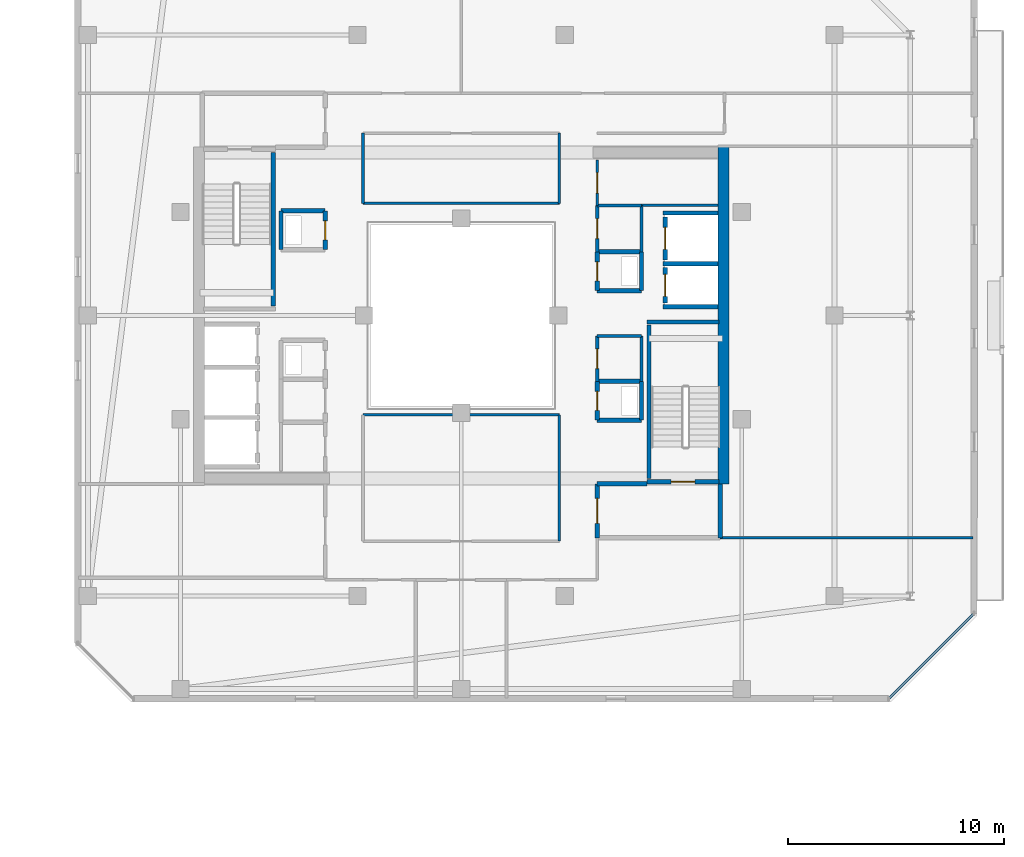
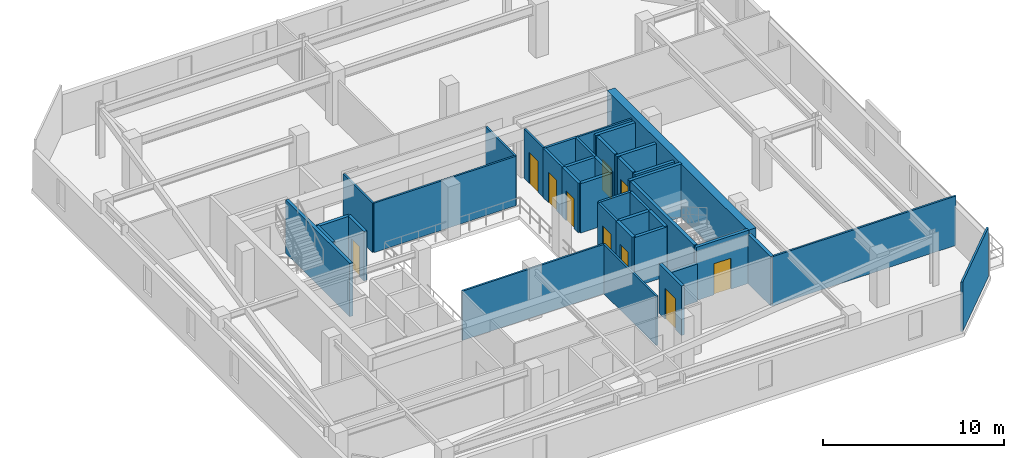
# One storey, part 26 of 34: 39 walls, 10 doors, 10 openings.
"""IFC4 building model written with IfcOpenShell, lengths in metres."""

from ifc_helpers import new_model, si_unit, direction, frame, frame_2d, origin, place, context, subcontext, project, spatial, rectangle, extrude, material, layer, layer_set, type_object, element, fill, save


model = new_model("IFC4")

# Units and contexts
model_context = context("Model", 3, precision=1e-05, world=origin(), true_north=direction((0.0, 1.0)))
body_context = subcontext(model_context, "Body", "Model", "MODEL_VIEW")
ifc_project = project(units=[si_unit("LENGTHUNIT", "METRE"), si_unit("AREAUNIT", "SQUARE_METRE"), si_unit("VOLUMEUNIT", "CUBIC_METRE"), si_unit("PLANEANGLEUNIT", "RADIAN"), si_unit("MASSUNIT", "GRAM", prefix="KILO")], contexts=[model_context])

# Site, building, storey
site_placement = place(None, origin())
site = spatial("IfcSite", under=ifc_project, at=site_placement, CompositionType="ELEMENT")
building_placement = place(site_placement, origin())
building = spatial("IfcBuilding", under=site, at=building_placement, Name="Thornwick Lancets Civic Towers", CompositionType="ELEMENT")
storey_placement = place(building_placement, frame((0.0, 0.0, 258.300048828125)))
storey = spatial("IfcBuildingStorey", under=building, at=storey_placement, Name="L69", CompositionType="ELEMENT", Elevation=258.300048828125)

# Wall, opening, door
ifc_material_1 = material(Name="Concrete blockwork C40/50", Category="masonry")
ifc_layer_1 = layer(ifc_material_1, 0.199951171875, Name="Concrete blockwork C40/50")
ifc_layer_set_1 = layer_set([ifc_layer_1], Name="Concrete blockwork C40/50")
wall_type_1 = type_object("IfcWallType", Name="WALL_COMP_200", PredefinedType="STANDARD", material=ifc_layer_set_1)
wall_1_placement = place(storey_placement, frame((97.949951171875, 29.219970703125, 0.0), z_axis=(0.0, 0.0, 1.0), x_axis=(0.0, -1.0, 0.0)))
wall_1 = element("IfcWall", 1, at=wall_1_placement, inside=storey, type_object=wall_type_1, Name="L69 Hoistway Front Wall FL-B1", PredefinedType="STANDARD", context=body_context, shape_type="SweptSolid", body=[
    extrude(rectangle(XDim=1.639892578125, YDim=0.199951171875, at=frame_2d((0.81982421875, 0.0))), origin(), (0.0, 0.0, 1.0), 3.33984375),
])
opening_1_placement = place(wall_1_placement, frame((0.31005859375, 0.0, 0.0)))
opening_1 = element("IfcOpeningElement", 2, at=opening_1_placement, cuts=wall_1, Name="Opening LD-FL-B1", PredefinedType="OPENING", context=body_context, shape_type="SweptSolid", body=[
    extrude(rectangle(XDim=1.02001953125, YDim=2.06005859375, at=frame_2d((0.510009765625, 1.030029296875))), frame((0.0, 0.10986328125, 0.0), z_axis=(0.0, -1.0, 0.0), x_axis=(1.0, 0.0, 0.0)), (0.0, 0.0, 1.0), 0.219970703125),
])
ifc_material_2 = material(Name="Brushed bronze stainless steel", Category="steel")
door_type_1 = type_object("IfcDoorType", Name="DOOR_LIFT_SLIDE", OperationType="SLIDING_TO_LEFT", PredefinedType="DOOR", material=ifc_material_2)
door_1_placement = place(opening_1_placement, origin())
door_1 = element("IfcDoor", 3, at=door_1_placement, inside=storey, type_object=door_type_1, Name="L69 Sliding Lift Landing Door LD-FL-B1", OperationType="SLIDING_TO_LEFT", OverallHeight=2.06005859375, OverallWidth=1.02001953125, PredefinedType="DOOR", context=body_context, shape_type="SweptSolid", body=[
    extrude(rectangle(XDim=1.02001953125, YDim=2.06005859375, at=frame_2d((0.510009765625, 1.030029296875))), frame((0.0, 0.02490234375, 0.0), z_axis=(0.0, -1.0, 0.0), x_axis=(1.0, 0.0, 0.0)), (0.0, 0.0, 1.0), 0.050048828125),
])
fill(opening_1, door_1)

wall_2_placement = place(storey_placement, frame((97.949951171875, 31.570068359375, 0.0), z_axis=(0.0, 0.0, 1.0), x_axis=(0.0, -1.0, 0.0)))
wall_2 = element("IfcWall", 4, at=wall_2_placement, inside=storey, type_object=wall_type_1, Name="L69 Hoistway Front Wall PL-BH1", PredefinedType="STANDARD", context=body_context, shape_type="SweptSolid", body=[
    extrude(rectangle(XDim=1.989990234375, YDim=0.199951171875, at=frame_2d((0.9951171875, 0.0))), origin(), (0.0, 0.0, 1.0), 3.33984375),
])
opening_2_placement = place(wall_2_placement, frame((0.485107421875, 0.0, 0.0)))
opening_2 = element("IfcOpeningElement", 5, at=opening_2_placement, cuts=wall_2, Name="Opening LD-PL-BH1", PredefinedType="OPENING", context=body_context, shape_type="SweptSolid", body=[
    extrude(rectangle(XDim=1.02001953125, YDim=2.06005859375, at=frame_2d((0.510009765625, 1.030029296875))), frame((0.0, 0.10986328125, 0.0), z_axis=(0.0, -1.0, 0.0), x_axis=(1.0, 0.0, 0.0)), (0.0, 0.0, 1.0), 0.219970703125),
])
door_2_placement = place(opening_2_placement, origin())
door_2 = element("IfcDoor", 6, at=door_2_placement, inside=storey, type_object=door_type_1, Name="L69 Sliding Lift Landing Door LD-PL-BH1", OperationType="SLIDING_TO_LEFT", OverallHeight=2.06005859375, OverallWidth=1.02001953125, PredefinedType="DOOR", context=body_context, shape_type="SweptSolid", body=[
    extrude(rectangle(XDim=1.02001953125, YDim=2.06005859375, at=frame_2d((0.510009765625, 1.030029296875))), frame((0.0, 0.02490234375, 0.0), z_axis=(0.0, -1.0, 0.0), x_axis=(1.0, 0.0, 0.0)), (0.0, 0.0, 1.0), 0.050048828125),
])
fill(opening_2, door_2)

# Walls
for number, where, z_axis, x_axis, name in (
    (7, (97.85205078125, 29.39990234375, 0.0), (0.0, 0.0, 1.0), (1.0, 0.0, 0.0), "L69 Hoistway Shaft Wall FL-B1 N"),
    (8, (97.85205078125, 27.39990234375, 0.0), (0.0, 0.0, 1.0), (1.0, 0.0, 0.0), "L69 Hoistway Shaft Wall FL-B1 S"),
    (9, (97.85205078125, 31.75, 0.0), (0.0, 0.0, 1.0), (1.0, 0.0, 0.0), "L69 Hoistway Shaft Wall PL-BH1 N"),
):
    element("IfcWall", number, at=place(storey_placement, frame(where, z_axis=z_axis, x_axis=x_axis)), inside=storey, type_object=wall_type_1, Name=name, PredefinedType="STANDARD", context=body_context, shape_type="SweptSolid", body=[
        extrude(rectangle(XDim=2.535888671875, YDim=0.199951171875, at=frame_2d((1.26806640625, 0.0))), origin(), (0.0, 0.0, 1.0), 3.33984375),
    ])
wall_3_placement = place(storey_placement, frame((100.5, 16.699951171875, 0.0), z_axis=(0.0, 0.0, 1.0), x_axis=(0.0, 1.0, 0.0)))
element("IfcWall", 10, at=wall_3_placement, inside=storey, type_object=wall_type_1, Name="L69 Partition L69-B-FFLOB1 E2", PredefinedType="STANDARD", context=body_context, shape_type="SweptSolid", body=[
    extrude(rectangle(XDim=2.5, YDim=0.199951171875, at=frame_2d((1.25, 0.0))), origin(), (0.0, 0.0, 1.0), 3.33984375),
])
wall_4_placement = place(storey_placement, frame((97.10009765625, 19.199951171875, 0.0), z_axis=(0.0, 0.0, 1.0), x_axis=(-1.0, 0.0, 0.0)))
element("IfcWall", 11, at=wall_4_placement, inside=storey, type_object=wall_type_1, Name="L69 Partition L69-B-FFLOB1 E3", PredefinedType="STANDARD", context=body_context, shape_type="SweptSolid", body=[
    extrude(rectangle(XDim=2.300048828125, YDim=0.199951171875, at=frame_2d((1.14990234375, 0.0))), origin(), (0.0, 0.0, 1.0), 2.544921875),
])

# Wall, opening, door
wall_5_placement = place(storey_placement, frame((94.800048828125, 19.199951171875, 0.0), z_axis=(0.0, 0.0, 1.0), x_axis=(0.0, -1.0, 0.0)))
wall_5 = element("IfcWall", 12, at=wall_5_placement, inside=storey, type_object=wall_type_1, Name="L69 Partition L69-B-FFLOB1 E4", PredefinedType="STANDARD", context=body_context, shape_type="SweptSolid", body=[
    extrude(rectangle(XDim=2.5, YDim=0.199951171875, at=frame_2d((1.25, 0.0))), origin(), (0.0, 0.0, 1.0), 3.33984375),
])
opening_3_placement = place(wall_5_placement, frame((0.675048828125, 0.0, 0.0)))
opening_3 = element("IfcOpeningElement", 13, at=opening_3_placement, cuts=wall_5, Name="Opening D-L69-3146", PredefinedType="OPENING", context=body_context, shape_type="SweptSolid", body=[
    extrude(rectangle(XDim=1.14990234375, YDim=2.10009765625, at=frame_2d((0.574951171875, 1.050048828125))), frame((0.0, 0.10986328125, 0.0), z_axis=(0.0, -1.0, 0.0), x_axis=(1.0, 0.0, 0.0)), (0.0, 0.0, 1.0), 0.219970703125),
])
ifc_material_3 = material(Name="Glazed fire-resisting steel", Category="steel")
door_type_2 = type_object("IfcDoorType", Name="DOOR_LOBBY_FD60", OperationType="NOTDEFINED", PredefinedType="DOOR", material=ifc_material_3)
door_3_placement = place(opening_3_placement, origin())
door_3 = element("IfcDoor", 14, at=door_3_placement, inside=storey, type_object=door_type_2, Name="L69 East Firefighting Lobby 1 Door", OperationType="SINGLE_SWING_LEFT", OverallHeight=2.10009765625, OverallWidth=1.14990234375, PredefinedType="DOOR", context=body_context, shape_type="SweptSolid", body=[
    extrude(rectangle(XDim=1.14990234375, YDim=2.10009765625, at=frame_2d((0.574951171875, 1.050048828125))), frame((0.0, 0.02490234375, 0.0), z_axis=(0.0, -1.0, 0.0), x_axis=(1.0, 0.0, 0.0)), (0.0, 0.0, 1.0), 0.050048828125),
])
fill(opening_3, door_3)

# Walls
wall_6_placement = place(storey_placement, frame((94.800048828125, 28.14990234375, 0.0), z_axis=(0.0, 0.0, 1.0), x_axis=(1.0, 0.0, 0.0)))
element("IfcWall", 15, at=wall_6_placement, inside=storey, type_object=wall_type_1, Name="L69 Partition L69-B-DUCT1 E1", PredefinedType="STANDARD", context=body_context, shape_type="SweptSolid", body=[
    extrude(rectangle(XDim=2.050048828125, YDim=0.199951171875, at=frame_2d((1.02490234375, 0.0))), origin(), (0.0, 0.0, 1.0), 3.33984375),
])
wall_7_placement = place(storey_placement, frame((96.85009765625, 28.14990234375, 0.0), z_axis=(0.0, 0.0, 1.0), x_axis=(0.0, 1.0, 0.0)))
element("IfcWall", 16, at=wall_7_placement, inside=storey, type_object=wall_type_1, Name="L69 Partition L69-B-DUCT1 E2", PredefinedType="STANDARD", context=body_context, shape_type="SweptSolid", body=[
    extrude(rectangle(XDim=1.800048828125, YDim=0.199951171875, at=frame_2d((0.89990234375, 0.0))), origin(), (0.0, 0.0, 1.0), 3.33984375),
])
wall_8_placement = place(storey_placement, frame((96.85009765625, 29.949951171875, 0.0), z_axis=(0.0, 0.0, 1.0), x_axis=(-1.0, 0.0, 0.0)))
element("IfcWall", 17, at=wall_8_placement, inside=storey, type_object=wall_type_1, Name="L69 Partition L69-B-DUCT1 E3", PredefinedType="STANDARD", context=body_context, shape_type="SweptSolid", body=[
    extrude(rectangle(XDim=2.050048828125, YDim=0.199951171875, at=frame_2d((1.02490234375, 0.0))), origin(), (0.0, 0.0, 1.0), 3.33984375),
])

# Wall, opening, door
wall_9_placement = place(storey_placement, frame((94.800048828125, 29.949951171875, 0.0), z_axis=(0.0, 0.0, 1.0), x_axis=(0.0, -1.0, 0.0)))
wall_9 = element("IfcWall", 18, at=wall_9_placement, inside=storey, type_object=wall_type_1, Name="L69 Partition L69-B-DUCT1 E4", PredefinedType="STANDARD", context=body_context, shape_type="SweptSolid", body=[
    extrude(rectangle(XDim=1.800048828125, YDim=0.199951171875, at=frame_2d((0.89990234375, 0.0))), origin(), (0.0, 0.0, 1.0), 3.33984375),
])
opening_4_placement = place(wall_9_placement, frame((0.4599609375, 0.0, 0.0)))
opening_4 = element("IfcOpeningElement", 19, at=opening_4_placement, cuts=wall_9, Name="Opening D-L69-3148", PredefinedType="OPENING", context=body_context, shape_type="SweptSolid", body=[
    extrude(rectangle(XDim=0.8798828125, YDim=2.0400390625, at=frame_2d((0.43994140625, 1.02001953125))), frame((0.0, 0.10986328125, 0.0), z_axis=(0.0, -1.0, 0.0), x_axis=(1.0, 0.0, 0.0)), (0.0, 0.0, 1.0), 0.219970703125),
])
ifc_material_4 = material(Name="Steel riser access doorset", Category="steel")
door_type_3 = type_object("IfcDoorType", Name="DOOR_RISER_850", OperationType="NOTDEFINED", PredefinedType="DOOR", material=ifc_material_4)
door_4_placement = place(opening_4_placement, origin())
door_4 = element("IfcDoor", 20, at=door_4_placement, inside=storey, type_object=door_type_3, Name="L69 East Service Duct 1 Door", OperationType="SINGLE_SWING_LEFT", OverallHeight=2.0400390625, OverallWidth=0.8798828125, PredefinedType="DOOR", context=body_context, shape_type="SweptSolid", body=[
    extrude(rectangle(XDim=0.8798828125, YDim=2.0400390625, at=frame_2d((0.43994140625, 1.02001953125))), frame((0.0, 0.02490234375, 0.0), z_axis=(0.0, -1.0, 0.0), x_axis=(1.0, 0.0, 0.0)), (0.0, 0.0, 1.0), 0.050048828125),
])
fill(opening_4, door_4)

# Walls
wall_10_placement = place(storey_placement, frame((94.800048828125, 22.14990234375, 0.0), z_axis=(0.0, 0.0, 1.0), x_axis=(1.0, 0.0, 0.0)))
element("IfcWall", 21, at=wall_10_placement, inside=storey, type_object=wall_type_1, Name="L69 Partition L69-B-RISER1 E1", PredefinedType="STANDARD", context=body_context, shape_type="SweptSolid", body=[
    extrude(rectangle(XDim=2.050048828125, YDim=0.199951171875, at=frame_2d((1.02490234375, 0.0))), origin(), (0.0, 0.0, 1.0), 3.33984375),
])
wall_11_placement = place(storey_placement, frame((96.85009765625, 22.14990234375, 0.0), z_axis=(0.0, 0.0, 1.0), x_axis=(0.0, 1.0, 0.0)))
element("IfcWall", 22, at=wall_11_placement, inside=storey, type_object=wall_type_1, Name="L69 Partition L69-B-RISER1 E2", PredefinedType="STANDARD", context=body_context, shape_type="SweptSolid", body=[
    extrude(rectangle(XDim=1.800048828125, YDim=0.199951171875, at=frame_2d((0.89990234375, 0.0))), origin(), (0.0, 0.0, 1.0), 3.33984375),
])
wall_12_placement = place(storey_placement, frame((96.85009765625, 23.949951171875, 0.0), z_axis=(0.0, 0.0, 1.0), x_axis=(-1.0, 0.0, 0.0)))
element("IfcWall", 23, at=wall_12_placement, inside=storey, type_object=wall_type_1, Name="L69 Partition L69-B-RISER1 E3", PredefinedType="STANDARD", context=body_context, shape_type="SweptSolid", body=[
    extrude(rectangle(XDim=2.050048828125, YDim=0.199951171875, at=frame_2d((1.02490234375, 0.0))), origin(), (0.0, 0.0, 1.0), 3.33984375),
])

# Wall, opening, door
wall_13_placement = place(storey_placement, frame((94.800048828125, 23.949951171875, 0.0), z_axis=(0.0, 0.0, 1.0), x_axis=(0.0, -1.0, 0.0)))
wall_13 = element("IfcWall", 24, at=wall_13_placement, inside=storey, type_object=wall_type_1, Name="L69 Partition L69-B-RISER1 E4", PredefinedType="STANDARD", context=body_context, shape_type="SweptSolid", body=[
    extrude(rectangle(XDim=1.800048828125, YDim=0.199951171875, at=frame_2d((0.89990234375, 0.0))), origin(), (0.0, 0.0, 1.0), 3.33984375),
])
opening_5_placement = place(wall_13_placement, frame((0.4599609375, 0.0, 0.0)))
opening_5 = element("IfcOpeningElement", 25, at=opening_5_placement, cuts=wall_13, Name="Opening D-L69-3149", PredefinedType="OPENING", context=body_context, shape_type="SweptSolid", body=[
    extrude(rectangle(XDim=0.8798828125, YDim=2.0400390625, at=frame_2d((0.43994140625, 1.02001953125))), frame((0.0, 0.10986328125, 0.0), z_axis=(0.0, -1.0, 0.0), x_axis=(1.0, 0.0, 0.0)), (0.0, 0.0, 1.0), 0.219970703125),
])
door_5_placement = place(opening_5_placement, origin())
door_5 = element("IfcDoor", 26, at=door_5_placement, inside=storey, type_object=door_type_3, Name="L69 East Electrical Riser 1 Door", OperationType="SINGLE_SWING_RIGHT", OverallHeight=2.0400390625, OverallWidth=0.8798828125, PredefinedType="DOOR", context=body_context, shape_type="SweptSolid", body=[
    extrude(rectangle(XDim=0.8798828125, YDim=2.0400390625, at=frame_2d((0.43994140625, 1.02001953125))), frame((0.0, 0.02490234375, 0.0), z_axis=(0.0, -1.0, 0.0), x_axis=(1.0, 0.0, 0.0)), (0.0, 0.0, 1.0), 0.050048828125),
])
fill(opening_5, door_5)

wall_14_placement = place(storey_placement, frame((82.199951171875, 30.050048828125, 0.0), z_axis=(0.0, 0.0, 1.0), x_axis=(0.0, 1.0, 0.0)))
wall_14 = element("IfcWall", 27, at=wall_14_placement, inside=storey, type_object=wall_type_1, Name="L69 Partition L69-B-RISER2 E2", PredefinedType="STANDARD", context=body_context, shape_type="SweptSolid", body=[
    extrude(rectangle(XDim=1.800048828125, YDim=0.199951171875, at=frame_2d((0.89990234375, 0.0))), origin(), (0.0, 0.0, 1.0), 3.33984375),
])
opening_6_placement = place(wall_14_placement, frame((0.4599609375, 0.0, 0.0)))
opening_6 = element("IfcOpeningElement", 28, at=opening_6_placement, cuts=wall_14, Name="Opening D-L69-3151", PredefinedType="OPENING", context=body_context, shape_type="SweptSolid", body=[
    extrude(rectangle(XDim=0.8798828125, YDim=2.0400390625, at=frame_2d((0.43994140625, 1.02001953125))), frame((0.0, 0.10986328125, 0.0), z_axis=(0.0, -1.0, 0.0), x_axis=(1.0, 0.0, 0.0)), (0.0, 0.0, 1.0), 0.219970703125),
])
door_6_placement = place(opening_6_placement, origin())
door_6 = element("IfcDoor", 29, at=door_6_placement, inside=storey, type_object=door_type_3, Name="L69 West Service Riser 2 Door", OperationType="SINGLE_SWING_RIGHT", OverallHeight=2.0400390625, OverallWidth=0.8798828125, PredefinedType="DOOR", context=body_context, shape_type="SweptSolid", body=[
    extrude(rectangle(XDim=0.8798828125, YDim=2.0400390625, at=frame_2d((0.43994140625, 1.02001953125))), frame((0.0, 0.02490234375, 0.0), z_axis=(0.0, -1.0, 0.0), x_axis=(1.0, 0.0, 0.0)), (0.0, 0.0, 1.0), 0.050048828125),
])
fill(opening_6, door_6)

# Walls
wall_15_placement = place(storey_placement, frame((82.199951171875, 31.85009765625, 0.0), z_axis=(0.0, 0.0, 1.0), x_axis=(-1.0, 0.0, 0.0)))
element("IfcWall", 30, at=wall_15_placement, inside=storey, type_object=wall_type_1, Name="L69 Partition L69-B-RISER2 E3", PredefinedType="STANDARD", context=body_context, shape_type="SweptSolid", body=[
    extrude(rectangle(XDim=2.050048828125, YDim=0.199951171875, at=frame_2d((1.02490234375, 0.0))), origin(), (0.0, 0.0, 1.0), 3.33984375),
])
wall_16_placement = place(storey_placement, frame((80.14990234375, 31.85009765625, 0.0), z_axis=(0.0, 0.0, 1.0), x_axis=(0.0, -1.0, 0.0)))
element("IfcWall", 31, at=wall_16_placement, inside=storey, type_object=wall_type_1, Name="L69 Partition L69-B-RISER2 E4", PredefinedType="STANDARD", context=body_context, shape_type="SweptSolid", body=[
    extrude(rectangle(XDim=1.800048828125, YDim=0.199951171875, at=frame_2d((0.89990234375, 0.0))), origin(), (0.0, 0.0, 1.0), 3.33984375),
])
ifc_material_5 = material(Name="Concrete C50/60", Category="concrete")
ifc_layer_2 = layer(ifc_material_5, 0.5, Name="Concrete C50/60")
ifc_layer_set_2 = layer_set([ifc_layer_2], Name="Concrete C50/60")
wall_type_2 = type_object("IfcWallType", Name="WALL_CORE_500", PredefinedType="SHEAR", material=ifc_layer_set_2)
wall_17_placement = place(storey_placement, frame((100.64990234375, 19.199951171875, 0.0), z_axis=(0.0, 0.0, 1.0), x_axis=(0.0, 1.0, 0.0)))
element("IfcWall", 32, at=wall_17_placement, inside=storey, type_object=wall_type_2, Name="L69 Split Core B1 Shear Wall E", PredefinedType="SHEAR", context=body_context, shape_type="SweptSolid", body=[
    extrude(rectangle(XDim=15.60009765625, YDim=0.5, at=frame_2d((7.800048828125, 0.0))), origin(), (0.0, 0.0, 1.0), 3.599853515625),
])

# Wall, opening, door
ifc_material_6 = material(Name="Acoustic gypsum board partition")
ifc_layer_3 = layer(ifc_material_6, 0.1201171875, Name="Acoustic gypsum board partition")
ifc_layer_set_3 = layer_set([ifc_layer_3], Name="Acoustic gypsum board partition")
wall_type_3 = type_object("IfcWallType", Name="WALL_PART_120", PredefinedType="PARTITIONING", material=ifc_layer_set_3)
wall_18_placement = place(storey_placement, frame((94.800048828125, 32.10009765625, 0.0), z_axis=(0.0, 0.0, 1.0), x_axis=(0.0, 1.0, 0.0)))
wall_18 = element("IfcWall", 33, at=wall_18_placement, inside=storey, type_object=wall_type_3, Name="L69 Partition L69-B-ITR E1", PredefinedType="PARTITIONING", context=body_context, shape_type="SweptSolid", body=[
    extrude(rectangle(XDim=2.099853515625, YDim=0.1201171875, at=frame_2d((1.0498046875, 0.0))), origin(), (0.0, 0.0, 1.0), 3.33984375),
])
opening_7_placement = place(wall_18_placement, frame((0.574951171875, 0.0, 0.0)))
opening_7 = element("IfcOpeningElement", 34, at=opening_7_placement, cuts=wall_18, Name="Opening D-L69-3154", PredefinedType="OPENING", context=body_context, shape_type="SweptSolid", body=[
    extrude(rectangle(XDim=0.949951171875, YDim=2.10009765625, at=frame_2d((0.47509765625, 1.050048828125))), frame((0.0, 0.070068359375, 0.0), z_axis=(0.0, -1.0, 0.0), x_axis=(1.0, 0.0, 0.0)), (0.0, 0.0, 1.0), 0.14013671875),
])
ifc_material_7 = material(Name="European oak acoustic doorset")
door_type_4 = type_object("IfcDoorType", Name="DOOR_OFFICE_950", OperationType="NOTDEFINED", PredefinedType="DOOR", material=ifc_material_7)
door_7_placement = place(opening_7_placement, origin())
door_7 = element("IfcDoor", 35, at=door_7_placement, inside=storey, type_object=door_type_4, Name="L69 Tower B Comms Patch Room Door", OperationType="SINGLE_SWING_LEFT", OverallHeight=2.10009765625, OverallWidth=0.949951171875, PredefinedType="DOOR", context=body_context, shape_type="SweptSolid", body=[
    extrude(rectangle(XDim=0.949951171875, YDim=2.10009765625, at=frame_2d((0.47509765625, 1.050048828125))), frame((0.0, 0.02490234375, 0.0), z_axis=(0.0, -1.0, 0.0), x_axis=(1.0, 0.0, 0.0)), (0.0, 0.0, 1.0), 0.050048828125),
])
fill(opening_7, door_7)

# Walls
wall_19_placement = place(storey_placement, frame((100.39990234375, 32.10009765625, 0.0), z_axis=(0.0, 0.0, 1.0), x_axis=(-1.0, 0.0, 0.0)))
element("IfcWall", 36, at=wall_19_placement, inside=storey, type_object=wall_type_3, Name="L69 Partition L69-B-ITR E4", PredefinedType="PARTITIONING", context=body_context, shape_type="SweptSolid", body=[
    extrude(rectangle(XDim=3.5498046875, YDim=0.1201171875, at=frame_2d((1.77490234375, 0.0))), origin(), (0.0, 0.0, 1.0), 3.33984375),
])
wall_20_placement = place(storey_placement, frame((100.5, 16.699951171875, 0.0), z_axis=(0.0, 0.0, 1.0), x_axis=(1.0, 0.0, 0.0)))
element("IfcWall", 37, at=wall_20_placement, inside=storey, type_object=wall_type_3, Name="L69 Partition L69-B-W1 E7", PredefinedType="PARTITIONING", context=body_context, shape_type="SweptSolid", body=[
    extrude(rectangle(XDim=11.719970703125, YDim=0.1201171875, at=frame_2d((5.85986328125, 0.0))), origin(), (0.0, 0.0, 1.0), 3.33984375),
])
wall_21_placement = place(storey_placement, frame((112.219970703125, 13.15966796875, 0.0), z_axis=(0.0, 0.0, 1.0), x_axis=(-0.707106781187, -0.707106781187, 0.0)))
element("IfcWall", 38, at=wall_21_placement, inside=storey, type_object=wall_type_3, Name="L69 Partition L69-B-W1 E9", PredefinedType="PARTITIONING", context=body_context, shape_type="SweptSolid", body=[
    extrude(rectangle(XDim=5.486572265625, YDim=0.1201171875, at=frame_2d((2.7431640625, 0.0))), origin(), (0.0, 0.0, 1.0), 3.33984375),
])
wall_22_placement = place(storey_placement, frame((83.949951171875, 22.39990234375, 0.0), z_axis=(0.0, 0.0, 1.0), x_axis=(1.0, 0.0, 0.0)))
element("IfcWall", 39, at=wall_22_placement, inside=storey, type_object=wall_type_3, Name="L69 Partition L69-B-W3 E2", PredefinedType="PARTITIONING", context=body_context, shape_type="SweptSolid", body=[
    extrude(rectangle(XDim=9.10009765625, YDim=0.1201171875, at=frame_2d((4.550048828125, 0.0))), origin(), (0.0, 0.0, 1.0), 3.33984375),
])
wall_23_placement = place(storey_placement, frame((93.050048828125, 22.39990234375, 0.0), z_axis=(0.0, 0.0, 1.0), x_axis=(0.0, -1.0, 0.0)))
element("IfcWall", 40, at=wall_23_placement, inside=storey, type_object=wall_type_3, Name="L69 Partition L69-B-W3 E3", PredefinedType="PARTITIONING", context=body_context, shape_type="SweptSolid", body=[
    extrude(rectangle(XDim=5.849853515625, YDim=0.1201171875, at=frame_2d((2.9248046875, 0.0))), origin(), (0.0, 0.0, 1.0), 3.33984375),
])
for number, where, z_axis, x_axis, name in (
    (41, (83.949951171875, 32.199951171875, 0.0), (0.0, 0.0, 1.0), (0.0, 1.0, 0.0), "L69 Partition L69-B-E-ATRIUM-OFF E1"),
    (42, (93.050048828125, 35.449951171875, 0.0), (0.0, 0.0, 1.0), (0.0, -1.0, 0.0), "L69 Partition L69-B-E-ATRIUM-OFF E3"),
):
    element("IfcWall", number, at=place(storey_placement, frame(where, z_axis=z_axis, x_axis=x_axis)), inside=storey, type_object=wall_type_3, Name=name, PredefinedType="PARTITIONING", context=body_context, shape_type="SweptSolid", body=[
        extrude(rectangle(XDim=3.25, YDim=0.1201171875, at=frame_2d((1.625, 0.0))), origin(), (0.0, 0.0, 1.0), 3.33984375),
    ])
wall_24_placement = place(storey_placement, frame((93.050048828125, 32.199951171875, 0.0), z_axis=(0.0, 0.0, 1.0), x_axis=(-1.0, 0.0, 0.0)))
element("IfcWall", 43, at=wall_24_placement, inside=storey, type_object=wall_type_3, Name="L69 Partition L69-B-E-ATRIUM-OFF E4", PredefinedType="PARTITIONING", context=body_context, shape_type="SweptSolid", body=[
    extrude(rectangle(XDim=9.10009765625, YDim=0.1201171875, at=frame_2d((4.550048828125, 0.0))), origin(), (0.0, 0.0, 1.0), 3.33984375),
])

# Wall, opening, door
ifc_material_8 = material(Name="Twin-stud acoustic gypsum board")
ifc_layer_4 = layer(ifc_material_8, 0.14990234375, Name="Twin-stud acoustic gypsum board")
ifc_layer_set_4 = layer_set([ifc_layer_4], Name="Twin-stud acoustic gypsum board")
wall_type_4 = type_object("IfcWallType", Name="WALL_PART_150", PredefinedType="PARTITIONING", material=ifc_layer_set_4)
wall_25_placement = place(storey_placement, frame((94.800048828125, 23.949951171875, 0.0), z_axis=(0.0, 0.0, 1.0), x_axis=(0.0, 1.0, 0.0)))
wall_25 = element("IfcWall", 44, at=wall_25_placement, inside=storey, type_object=wall_type_4, Name="L69 Partition L69-B-MWC E1", PredefinedType="PARTITIONING", context=body_context, shape_type="SweptSolid", body=[
    extrude(rectangle(XDim=2.10009765625, YDim=0.14990234375, at=frame_2d((1.050048828125, 0.0))), origin(), (0.0, 0.0, 1.0), 3.33984375),
])
opening_8_placement = place(wall_25_placement, frame((0.590087890625, 0.0, 0.0)))
opening_8 = element("IfcOpeningElement", 45, at=opening_8_placement, cuts=wall_25, Name="Opening D-L69-3152", PredefinedType="OPENING", context=body_context, shape_type="SweptSolid", body=[
    extrude(rectangle(XDim=0.919921875, YDim=2.080078125, at=frame_2d((0.4599609375, 1.0400390625))), frame((0.0, 0.0849609375, 0.0), z_axis=(0.0, -1.0, 0.0), x_axis=(1.0, 0.0, 0.0)), (0.0, 0.0, 1.0), 0.169921875),
])
ifc_material_9 = material(Name="Moisture-resistant oak doorset")
door_type_5 = type_object("IfcDoorType", Name="DOOR_WC_900", OperationType="NOTDEFINED", PredefinedType="DOOR", material=ifc_material_9)
door_8_placement = place(opening_8_placement, origin())
door_8 = element("IfcDoor", 46, at=door_8_placement, inside=storey, type_object=door_type_5, Name="L69 Tower B Male WC Door", OperationType="SINGLE_SWING_LEFT", OverallHeight=2.080078125, OverallWidth=0.919921875, PredefinedType="DOOR", context=body_context, shape_type="SweptSolid", body=[
    extrude(rectangle(XDim=0.919921875, YDim=2.080078125, at=frame_2d((0.4599609375, 1.0400390625))), frame((0.0, 0.02490234375, 0.0), z_axis=(0.0, -1.0, 0.0), x_axis=(1.0, 0.0, 0.0)), (0.0, 0.0, 1.0), 0.050048828125),
])
fill(opening_8, door_8)

# Walls
wall_26_placement = place(storey_placement, frame((94.800048828125, 26.050048828125, 0.0), z_axis=(0.0, 0.0, 1.0), x_axis=(1.0, 0.0, 0.0)))
element("IfcWall", 47, at=wall_26_placement, inside=storey, type_object=wall_type_4, Name="L69 Partition L69-B-MWC E2", PredefinedType="PARTITIONING", context=body_context, shape_type="SweptSolid", body=[
    extrude(rectangle(XDim=2.050048828125, YDim=0.14990234375, at=frame_2d((1.02490234375, 0.0))), origin(), (0.0, 0.0, 1.0), 3.33984375),
])
wall_27_placement = place(storey_placement, frame((96.85009765625, 26.050048828125, 0.0), z_axis=(0.0, 0.0, 1.0), x_axis=(0.0, -1.0, 0.0)))
element("IfcWall", 48, at=wall_27_placement, inside=storey, type_object=wall_type_4, Name="L69 Partition L69-B-MWC E3", PredefinedType="PARTITIONING", context=body_context, shape_type="SweptSolid", body=[
    extrude(rectangle(XDim=2.10009765625, YDim=0.14990234375, at=frame_2d((1.050048828125, 0.0))), origin(), (0.0, 0.0, 1.0), 3.33984375),
])

# Wall, opening, door
wall_28_placement = place(storey_placement, frame((94.800048828125, 29.949951171875, 0.0), z_axis=(0.0, 0.0, 1.0), x_axis=(0.0, 1.0, 0.0)))
wall_28 = element("IfcWall", 49, at=wall_28_placement, inside=storey, type_object=wall_type_4, Name="L69 Partition L69-B-FWC E1", PredefinedType="PARTITIONING", context=body_context, shape_type="SweptSolid", body=[
    extrude(rectangle(XDim=2.150146484375, YDim=0.14990234375, at=frame_2d((1.0751953125, 0.0))), origin(), (0.0, 0.0, 1.0), 3.33984375),
])
opening_9_placement = place(wall_28_placement, frame((0.614990234375, 0.0, 0.0)))
opening_9 = element("IfcOpeningElement", 50, at=opening_9_placement, cuts=wall_28, Name="Opening D-L69-3153", PredefinedType="OPENING", context=body_context, shape_type="SweptSolid", body=[
    extrude(rectangle(XDim=0.919921875, YDim=2.080078125, at=frame_2d((0.4599609375, 1.0400390625))), frame((0.0, 0.0849609375, 0.0), z_axis=(0.0, -1.0, 0.0), x_axis=(1.0, 0.0, 0.0)), (0.0, 0.0, 1.0), 0.169921875),
])
door_9_placement = place(opening_9_placement, origin())
door_9 = element("IfcDoor", 51, at=door_9_placement, inside=storey, type_object=door_type_5, Name="L69 Tower B Female WC Door", OperationType="SINGLE_SWING_RIGHT", OverallHeight=2.080078125, OverallWidth=0.919921875, PredefinedType="DOOR", context=body_context, shape_type="SweptSolid", body=[
    extrude(rectangle(XDim=0.919921875, YDim=2.080078125, at=frame_2d((0.4599609375, 1.0400390625))), frame((0.0, 0.02490234375, 0.0), z_axis=(0.0, -1.0, 0.0), x_axis=(1.0, 0.0, 0.0)), (0.0, 0.0, 1.0), 0.050048828125),
])
fill(opening_9, door_9)

# Walls
wall_29_placement = place(storey_placement, frame((94.800048828125, 32.10009765625, 0.0), z_axis=(0.0, 0.0, 1.0), x_axis=(1.0, 0.0, 0.0)))
element("IfcWall", 52, at=wall_29_placement, inside=storey, type_object=wall_type_4, Name="L69 Partition L69-B-FWC E2", PredefinedType="PARTITIONING", context=body_context, shape_type="SweptSolid", body=[
    extrude(rectangle(XDim=2.050048828125, YDim=0.14990234375, at=frame_2d((1.02490234375, 0.0))), origin(), (0.0, 0.0, 1.0), 3.33984375),
])
wall_30_placement = place(storey_placement, frame((96.85009765625, 32.10009765625, 0.0), z_axis=(0.0, 0.0, 1.0), x_axis=(0.0, -1.0, 0.0)))
element("IfcWall", 53, at=wall_30_placement, inside=storey, type_object=wall_type_4, Name="L69 Partition L69-B-FWC E3", PredefinedType="PARTITIONING", context=body_context, shape_type="SweptSolid", body=[
    extrude(rectangle(XDim=2.150146484375, YDim=0.14990234375, at=frame_2d((1.0751953125, 0.0))), origin(), (0.0, 0.0, 1.0), 3.33984375),
])

# Wall, opening, door
ifc_material_10 = material(Name="Concrete C40/50", Category="concrete")
ifc_layer_5 = layer(ifc_material_10, 0.199951171875, Name="Concrete C40/50")
ifc_layer_set_5 = layer_set([ifc_layer_5], Name="Concrete C40/50")
wall_type_5 = type_object("IfcWallType", Name="WALL_SHAFT_200", PredefinedType="SHEAR", material=ifc_layer_set_5)
wall_31_placement = place(storey_placement, frame((100.449951171875, 19.300048828125, 0.0), z_axis=(0.0, 0.0, 1.0), x_axis=(-1.0, 0.0, 0.0)))
wall_31 = element("IfcWall", 54, at=wall_31_placement, inside=storey, type_object=wall_type_5, Name="L69 ST-B1 Fire Stair Core Wall NEAR", PredefinedType="SHEAR", context=body_context, shape_type="SweptSolid", body=[
    extrude(rectangle(XDim=3.349853515625, YDim=0.199951171875, at=frame_2d((1.6748046875, 0.0))), origin(), (0.0, 0.0, 1.0), 3.599853515625),
])
opening_10_placement = place(wall_31_placement, frame((1.125, 0.0, 0.0)))
opening_10 = element("IfcOpeningElement", 55, at=opening_10_placement, cuts=wall_31, Name="Opening D-ST-B1-L69", PredefinedType="OPENING", context=body_context, shape_type="SweptSolid", body=[
    extrude(rectangle(XDim=1.10009765625, YDim=2.10009765625, at=frame_2d((0.550048828125, 1.050048828125))), frame((0.0, 0.10986328125, 0.0), z_axis=(0.0, -1.0, 0.0), x_axis=(1.0, 0.0, 0.0)), (0.0, 0.0, 1.0), 0.219970703125),
])
ifc_material_11 = material(Name="Fire-resisting steel and hardwood", Category="steel")
door_type_6 = type_object("IfcDoorType", Name="DOOR_STAIR_FD60", OperationType="NOTDEFINED", PredefinedType="DOOR", material=ifc_material_11)
door_10_placement = place(opening_10_placement, origin())
door_10 = element("IfcDoor", 56, at=door_10_placement, inside=storey, type_object=door_type_6, Name="L69 ST-B1 Exit Stair Door", OperationType="SINGLE_SWING_RIGHT", OverallHeight=2.10009765625, OverallWidth=1.10009765625, PredefinedType="DOOR", context=body_context, shape_type="SweptSolid", body=[
    extrude(rectangle(XDim=1.10009765625, YDim=2.10009765625, at=frame_2d((0.550048828125, 1.050048828125))), frame((0.0, 0.02490234375, 0.0), z_axis=(0.0, -1.0, 0.0), x_axis=(1.0, 0.0, 0.0)), (0.0, 0.0, 1.0), 0.050048828125),
])
fill(opening_10, door_10)

# Walls
wall_32_placement = place(storey_placement, frame((97.10009765625, 26.699951171875, 0.0), z_axis=(0.0, 0.0, 1.0), x_axis=(1.0, 0.0, 0.0)))
element("IfcWall", 57, at=wall_32_placement, inside=storey, type_object=wall_type_5, Name="L69 ST-B1 Fire Stair Core Wall FAR", PredefinedType="SHEAR", context=body_context, shape_type="SweptSolid", body=[
    extrude(rectangle(XDim=3.349853515625, YDim=0.199951171875, at=frame_2d((1.6748046875, 0.0))), origin(), (0.0, 0.0, 1.0), 3.599853515625),
])
for number, where, z_axis, x_axis, name in (
    (58, (97.202880859375, 26.550048828125, 0.0), (0.0, 0.0, 1.0), (0.0, -1.0, 0.0), "L69 ST-B1 Fire Stair Core Wall RIGHT"),
    (59, (79.797119140625, 27.449951171875, 0.0), (0.0, 0.0, 1.0), (0.0, 1.0, 0.0), "L69 ST-B2 Fire Stair Core Wall RIGHT"),
):
    element("IfcWall", number, at=place(storey_placement, frame(where, z_axis=z_axis, x_axis=x_axis)), inside=storey, type_object=wall_type_5, Name=name, PredefinedType="SHEAR", context=body_context, shape_type="SweptSolid", body=[
        extrude(rectangle(XDim=7.10009765625, YDim=0.199951171875, at=frame_2d((3.550048828125, 0.0))), origin(), (0.0, 0.0, 1.0), 3.599853515625),
    ])

save(model, "model.ifc")
